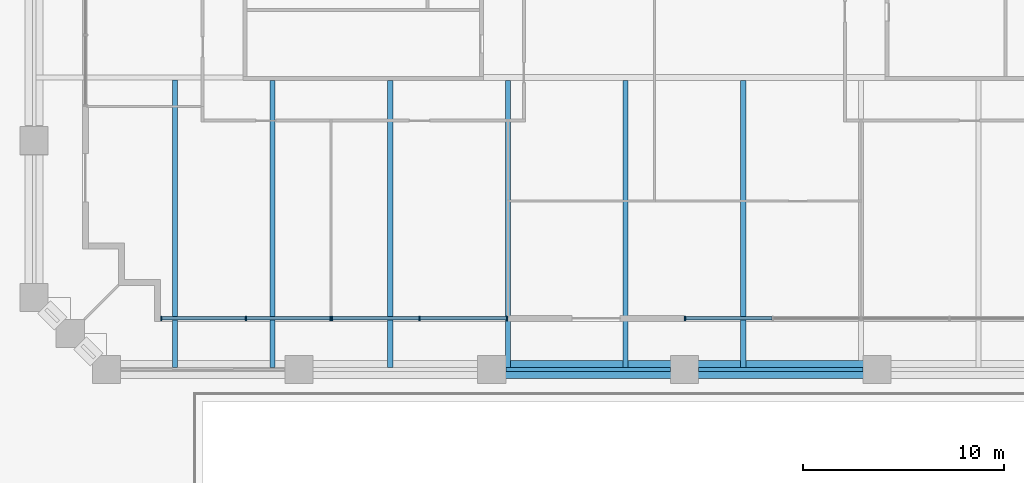
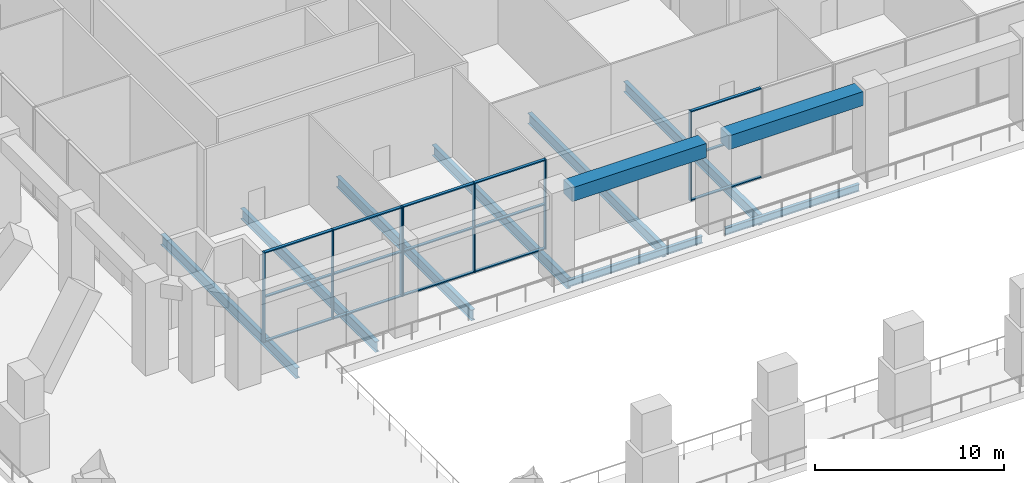
# One storey, part 2 of 20: 22 members, 10 beams, 3 elements without a shape of their own.
"""IFC4 building model written with IfcOpenShell, lengths in metres."""

from ifc_helpers import new_model, si_unit, direction, frame, origin, origin_2d, place, context, subcontext, project, spatial, rectangle, i_section, extrude, material, material_profile, profile_set, type_object, element, aggregate, save


model = new_model("IFC4")

# Units and contexts
model_context = context("Model", 3, precision=1e-05, world=origin(), true_north=direction((0.0, 1.0)))
body_context = subcontext(model_context, "Body", "Model", "MODEL_VIEW")
ifc_project = project(units=[si_unit("LENGTHUNIT", "METRE"), si_unit("AREAUNIT", "SQUARE_METRE"), si_unit("VOLUMEUNIT", "CUBIC_METRE"), si_unit("PLANEANGLEUNIT", "RADIAN"), si_unit("MASSUNIT", "GRAM", prefix="KILO")], contexts=[model_context])

# Site, building, storey
site_placement = place(None, origin())
site = spatial("IfcSite", under=ifc_project, at=site_placement, CompositionType="ELEMENT")
building_placement = place(site_placement, origin())
building = spatial("IfcBuilding", under=site, at=building_placement, Name="Ogive Exchange Tower", CompositionType="ELEMENT")
storey_placement = place(building_placement, frame((0.0, 0.0, 33.60009765625)))
storey = spatial("IfcBuildingStorey", under=building, at=storey_placement, Name="L06", CompositionType="ELEMENT", Elevation=33.60009765625)

# Beams
ifc_material_1 = material(Name="Steel ASTM A992 Gr50", Category="steel")
ifc_material_profile_1 = material_profile(ifc_material_1, i_section(OverallWidth=0.25390625, OverallDepth=0.68310546875, WebThickness=0.012451171875, FlangeThickness=0.018798828125, at=origin_2d()), Name="W690x140")
ifc_profile_set_1 = profile_set([ifc_material_profile_1], Name="Steel ASTM A992 Gr50")
beam_type_1 = type_object("IfcBeamType", Name="Floor beam W690x140", PredefinedType="JOIST", material=ifc_profile_set_1)
beam_placement = place(storey_placement, frame((-25.38232421875, -30.304443359375, -0.79150390625), z_axis=(0.0, 1.0, 0.0), x_axis=(-1.0, 0.0, 0.0)))
element("IfcBeam", 1, at=beam_placement, inside=storey, type_object=beam_type_1, Name="Floor beam", PredefinedType="JOIST", context=body_context, shape_type="SweptSolid", body=[
    extrude(i_section(OverallWidth=0.25390625, OverallDepth=0.68310546875, WebThickness=0.012451171875, FlangeThickness=0.018798828125, at=origin_2d()), origin(), (0.0, 0.0, 1.0), 14.345458984375),
])
for number, where, z_axis, x_axis, name in (
    (2, (-20.51953125, -30.304443359375, -0.79150390625), (0.0, 1.0, 0.0), (-1.0, 0.0, 0.0), "Floor beam"),
    (3, (-14.65673828125, -30.304443359375, -0.79150390625), (0.0, 1.0, 0.0), (-1.0, 0.0, 0.0), "Floor beam"),
):
    element("IfcBeam", number, at=place(storey_placement, frame(where, z_axis=z_axis, x_axis=x_axis)), inside=storey, type_object=beam_type_1, Name=name, PredefinedType="JOIST", context=body_context, shape_type="SweptSolid", body=[
        extrude(i_section(OverallWidth=0.25390625, OverallDepth=0.68310546875, WebThickness=0.012451171875, FlangeThickness=0.018798828125, at=origin_2d()), origin(), (0.0, 0.0, 1.0), 14.304443359375),
    ])
for number, where, z_axis, x_axis, name in (
    (4, (-8.794189453125, -30.304443359375, -0.79150390625), (0.0, 1.0, 0.0), (-1.0, 0.0, 0.0), "Floor beam"),
    (5, (-2.931396484375, -30.304443359375, -0.79150390625), (0.0, 1.0, 0.0), (-1.0, 0.0, 0.0), "Floor beam"),
    (6, (2.931396484375, -30.304443359375, -0.79150390625), (0.0, 1.0, 0.0), (-1.0, 0.0, 0.0), "Floor beam"),
):
    element("IfcBeam", number, at=place(storey_placement, frame(where, z_axis=z_axis, x_axis=x_axis)), inside=storey, type_object=beam_type_1, Name=name, PredefinedType="JOIST", context=body_context, shape_type="SweptSolid", body=[
        extrude(i_section(OverallWidth=0.25390625, OverallDepth=0.68310546875, WebThickness=0.012451171875, FlangeThickness=0.018798828125, at=origin_2d()), origin(), (0.0, 0.0, 1.0), 14.309326171875),
    ])
ifc_material_profile_2 = material_profile(ifc_material_1, i_section(OverallWidth=0.19091796875, OverallDepth=0.45703125, WebThickness=0.009033203125, FlangeThickness=0.014404296875, at=origin_2d()), Name="W460x74")
ifc_profile_set_2 = profile_set([ifc_material_profile_2], Name="Steel ASTM A992 Gr50")
beam_type_2 = type_object("IfcBeamType", Name="Girder W460x74", PredefinedType="BEAM", material=ifc_profile_set_2)
for number, where, z_axis, x_axis, name in (
    (7, (-8.89990234375, -30.39990234375, -0.6787109375), (1.0, 0.0, 0.0), (0.0, 1.0, 0.0), "Girder"),
    (8, (0.699951171875, -30.39990234375, -0.6787109375), (1.0, 0.0, 0.0), (0.0, 1.0, 0.0), "Girder"),
):
    element("IfcBeam", number, at=place(storey_placement, frame(where, z_axis=z_axis, x_axis=x_axis)), inside=storey, type_object=beam_type_2, Name=name, PredefinedType="BEAM", context=body_context, shape_type="SweptSolid", body=[
        extrude(i_section(OverallWidth=0.19091796875, OverallDepth=0.45703125, WebThickness=0.009033203125, FlangeThickness=0.014404296875, at=origin_2d()), origin(), (0.0, 0.0, 1.0), 8.199951171875),
    ])
ifc_material_2 = material(Name="Precast concrete C70/85 (limestone faced)", Category="masonry")
ifc_material_profile_3 = material_profile(ifc_material_2, rectangle(XDim=0.89990234375, YDim=0.89990234375, at=origin_2d()), Name="900 x 900")
ifc_profile_set_3 = profile_set([ifc_material_profile_3], Name="Precast concrete C70/85 (limestone faced)")
beam_type_3 = type_object("IfcBeamType", Name="Precast spandrel 900 x 900 C70/85", PredefinedType="SPANDREL", material=ifc_profile_set_3)
for number, where, z_axis, x_axis, name in (
    (9, (-8.919921875, -30.39990234375, 5.2998046875), (1.0, 0.0, 0.0), (0.0, 1.0, 0.0), "Spandrel 3"),
    (10, (0.679931640625, -30.39990234375, 5.2998046875), (1.0, 0.0, 0.0), (0.0, 1.0, 0.0), "Spandrel 4"),
):
    element("IfcBeam", number, at=place(storey_placement, frame(where, z_axis=z_axis, x_axis=x_axis)), inside=storey, type_object=beam_type_3, Name=name, PredefinedType="SPANDREL", context=body_context, shape_type="SweptSolid", body=[
        extrude(rectangle(XDim=0.89990234375, YDim=0.89990234375, at=origin_2d()), origin(), (0.0, 0.0, 1.0), 8.239990234375),
    ])

# Curtain wall, members
ifc_material_3 = material(Name="Anodised aluminium and clear glass", Category="aluminium")
curtain_wall_type = type_object("IfcCurtainWallType", Name="Sky lobby glazing", PredefinedType="NOTDEFINED", material=ifc_material_3)
curtain_wall_1_placement = place(storey_placement, origin())
curtain_wall_1 = element("IfcCurtainWall", 11, at=curtain_wall_1_placement, inside=storey, type_object=curtain_wall_type, Name="Sky lobby glazing run G1", PredefinedType="NOTDEFINED")
ifc_material_4 = material(Name="Anodised aluminium", Category="aluminium")
ifc_material_profile_4 = material_profile(ifc_material_4, rectangle(XDim=0.219970703125, YDim=0.070068359375, at=origin_2d()), Name="AL 70x220")
ifc_profile_set_4 = profile_set([ifc_material_profile_4], Name="Anodised aluminium")
member_type_1 = type_object("IfcMemberType", Name="Sky lobby glazing mullion 70 x 220", PredefinedType="MULLION", material=ifc_profile_set_4)
member_1_placement = place(storey_placement, frame((-26.06494140625, -27.85009765625, 0.0), z_axis=(0.0, 0.0, 1.0), x_axis=(0.0, 1.0, 0.0)))
member_1 = element("IfcMember", 12, at=member_1_placement, type_object=member_type_1, Name="G1 mullion 1", PredefinedType="MULLION", context=body_context, shape_type="SweptSolid", body=[
    extrude(rectangle(XDim=0.219970703125, YDim=0.070068359375, at=origin_2d()), origin(), (0.0, 0.0, 1.0), 5.7998046875),
])
member_2_placement = place(storey_placement, frame((-21.85009765625, -27.85009765625, 0.0), z_axis=(0.0, 0.0, 1.0), x_axis=(0.0, 1.0, 0.0)))
member_2 = element("IfcMember", 13, at=member_2_placement, type_object=member_type_1, Name="G1 mullion 2", PredefinedType="MULLION", context=body_context, shape_type="SweptSolid", body=[
    extrude(rectangle(XDim=0.219970703125, YDim=0.070068359375, at=origin_2d()), origin(), (0.0, 0.0, 1.0), 5.7998046875),
])
member_3_placement = place(storey_placement, frame((-17.635009765625, -27.85009765625, 0.0), z_axis=(0.0, 0.0, 1.0), x_axis=(0.0, 1.0, 0.0)))
member_3 = element("IfcMember", 14, at=member_3_placement, type_object=member_type_1, Name="G1 mullion 3", PredefinedType="MULLION", context=body_context, shape_type="SweptSolid", body=[
    extrude(rectangle(XDim=0.219970703125, YDim=0.070068359375, at=origin_2d()), origin(), (0.0, 0.0, 1.0), 5.7998046875),
])

curtain_wall_2_placement = place(storey_placement, origin())
curtain_wall_2 = element("IfcCurtainWall", 15, at=curtain_wall_2_placement, inside=storey, type_object=curtain_wall_type, Name="Sky lobby glazing run G2", PredefinedType="NOTDEFINED")
member_4_placement = place(storey_placement, frame((-17.56494140625, -27.85009765625, 0.0), z_axis=(0.0, 0.0, 1.0), x_axis=(0.0, 1.0, 0.0)))
member_4 = element("IfcMember", 16, at=member_4_placement, type_object=member_type_1, Name="G2 mullion 1", PredefinedType="MULLION", context=body_context, shape_type="SweptSolid", body=[
    extrude(rectangle(XDim=0.219970703125, YDim=0.070068359375, at=origin_2d()), origin(), (0.0, 0.0, 1.0), 5.7998046875),
])
member_5_placement = place(storey_placement, frame((-13.199951171875, -27.85009765625, 0.0), z_axis=(0.0, 0.0, 1.0), x_axis=(0.0, 1.0, 0.0)))
member_5 = element("IfcMember", 17, at=member_5_placement, type_object=member_type_1, Name="G2 mullion 2", PredefinedType="MULLION", context=body_context, shape_type="SweptSolid", body=[
    extrude(rectangle(XDim=0.219970703125, YDim=0.070068359375, at=origin_2d()), origin(), (0.0, 0.0, 1.0), 5.7998046875),
])
member_6_placement = place(storey_placement, frame((-8.8349609375, -27.85009765625, 0.0), z_axis=(0.0, 0.0, 1.0), x_axis=(0.0, 1.0, 0.0)))
member_6 = element("IfcMember", 18, at=member_6_placement, type_object=member_type_1, Name="G2 mullion 3", PredefinedType="MULLION", context=body_context, shape_type="SweptSolid", body=[
    extrude(rectangle(XDim=0.219970703125, YDim=0.070068359375, at=origin_2d()), origin(), (0.0, 0.0, 1.0), 5.7998046875),
])

# Curtain wall, member
curtain_wall_3_placement = place(storey_placement, origin())
curtain_wall_3 = element("IfcCurtainWall", 19, at=curtain_wall_3_placement, inside=storey, type_object=curtain_wall_type, Name="Sky lobby glazing run G4", PredefinedType="NOTDEFINED")
member_7_placement = place(storey_placement, frame((0.034912109375, -27.85009765625, 0.0), z_axis=(0.0, 0.0, 1.0), x_axis=(0.0, 1.0, 0.0)))
member_7 = element("IfcMember", 20, at=member_7_placement, type_object=member_type_1, Name="G4 mullion 1", PredefinedType="MULLION", context=body_context, shape_type="SweptSolid", body=[
    extrude(rectangle(XDim=0.219970703125, YDim=0.070068359375, at=origin_2d()), origin(), (0.0, 0.0, 1.0), 5.7998046875),
])

# Member
ifc_material_profile_5 = material_profile(ifc_material_4, rectangle(XDim=0.179931640625, YDim=0.070068359375, at=origin_2d()), Name="AL 70x180")
ifc_profile_set_5 = profile_set([ifc_material_profile_5], Name="Anodised aluminium")
member_type_2 = type_object("IfcMemberType", Name="Sky lobby glazing transom 70 x 180", PredefinedType="USERDEFINED", material=ifc_profile_set_5)
member_8_placement = place(storey_placement, frame((-26.030029296875, -27.85009765625, 0.034912109375), z_axis=(1.0, 0.0, 0.0), x_axis=(0.0, 1.0, 0.0)))
member_8 = element("IfcMember", 21, at=member_8_placement, type_object=member_type_2, Name="G1 transom 1.1", ObjectType="TRANSOM", PredefinedType="USERDEFINED", context=body_context, shape_type="SweptSolid", body=[
    extrude(rectangle(XDim=0.179931640625, YDim=0.070068359375, at=origin_2d()), origin(), (0.0, 0.0, 1.0), 4.14501953125),
])

member_9_placement = place(storey_placement, frame((-26.030029296875, -27.85009765625, 2.89990234375), z_axis=(1.0, 0.0, 0.0), x_axis=(0.0, 1.0, 0.0)))
member_9 = element("IfcMember", 22, at=member_9_placement, type_object=member_type_2, Name="G1 transom 1.2", ObjectType="TRANSOM", PredefinedType="USERDEFINED", context=body_context, shape_type="SweptSolid", body=[
    extrude(rectangle(XDim=0.179931640625, YDim=0.070068359375, at=origin_2d()), origin(), (0.0, 0.0, 1.0), 4.14501953125),
])

member_10_placement = place(storey_placement, frame((-26.030029296875, -27.85009765625, 5.764892578125), z_axis=(1.0, 0.0, 0.0), x_axis=(0.0, 1.0, 0.0)))
member_10 = element("IfcMember", 23, at=member_10_placement, type_object=member_type_2, Name="G1 transom 1.3", ObjectType="TRANSOM", PredefinedType="USERDEFINED", context=body_context, shape_type="SweptSolid", body=[
    extrude(rectangle(XDim=0.179931640625, YDim=0.070068359375, at=origin_2d()), origin(), (0.0, 0.0, 1.0), 4.14501953125),
])

member_11_placement = place(storey_placement, frame((-21.81494140625, -27.85009765625, 0.034912109375), z_axis=(1.0, 0.0, 0.0), x_axis=(0.0, 1.0, 0.0)))
member_11 = element("IfcMember", 24, at=member_11_placement, type_object=member_type_2, Name="G1 transom 2.1", ObjectType="TRANSOM", PredefinedType="USERDEFINED", context=body_context, shape_type="SweptSolid", body=[
    extrude(rectangle(XDim=0.179931640625, YDim=0.070068359375, at=origin_2d()), origin(), (0.0, 0.0, 1.0), 4.14501953125),
])

member_12_placement = place(storey_placement, frame((-21.81494140625, -27.85009765625, 2.89990234375), z_axis=(1.0, 0.0, 0.0), x_axis=(0.0, 1.0, 0.0)))
member_12 = element("IfcMember", 25, at=member_12_placement, type_object=member_type_2, Name="G1 transom 2.2", ObjectType="TRANSOM", PredefinedType="USERDEFINED", context=body_context, shape_type="SweptSolid", body=[
    extrude(rectangle(XDim=0.179931640625, YDim=0.070068359375, at=origin_2d()), origin(), (0.0, 0.0, 1.0), 4.14501953125),
])

member_13_placement = place(storey_placement, frame((-21.81494140625, -27.85009765625, 5.764892578125), z_axis=(1.0, 0.0, 0.0), x_axis=(0.0, 1.0, 0.0)))
member_13 = element("IfcMember", 26, at=member_13_placement, type_object=member_type_2, Name="G1 transom 2.3", ObjectType="TRANSOM", PredefinedType="USERDEFINED", context=body_context, shape_type="SweptSolid", body=[
    extrude(rectangle(XDim=0.179931640625, YDim=0.070068359375, at=origin_2d()), origin(), (0.0, 0.0, 1.0), 4.14501953125),
])

aggregate(curtain_wall_1, [member_1, member_2, member_3, member_8, member_9, member_10, member_11, member_12, member_13])

member_14_placement = place(storey_placement, frame((-17.530029296875, -27.85009765625, 0.034912109375), z_axis=(1.0, 0.0, 0.0), x_axis=(0.0, 1.0, 0.0)))
member_14 = element("IfcMember", 27, at=member_14_placement, type_object=member_type_2, Name="G2 transom 1.1", ObjectType="TRANSOM", PredefinedType="USERDEFINED", context=body_context, shape_type="SweptSolid", body=[
    extrude(rectangle(XDim=0.179931640625, YDim=0.070068359375, at=origin_2d()), origin(), (0.0, 0.0, 1.0), 4.294921875),
])

member_15_placement = place(storey_placement, frame((-17.530029296875, -27.85009765625, 2.89990234375), z_axis=(1.0, 0.0, 0.0), x_axis=(0.0, 1.0, 0.0)))
member_15 = element("IfcMember", 28, at=member_15_placement, type_object=member_type_2, Name="G2 transom 1.2", ObjectType="TRANSOM", PredefinedType="USERDEFINED", context=body_context, shape_type="SweptSolid", body=[
    extrude(rectangle(XDim=0.179931640625, YDim=0.070068359375, at=origin_2d()), origin(), (0.0, 0.0, 1.0), 4.294921875),
])

member_16_placement = place(storey_placement, frame((-17.530029296875, -27.85009765625, 5.764892578125), z_axis=(1.0, 0.0, 0.0), x_axis=(0.0, 1.0, 0.0)))
member_16 = element("IfcMember", 29, at=member_16_placement, type_object=member_type_2, Name="G2 transom 1.3", ObjectType="TRANSOM", PredefinedType="USERDEFINED", context=body_context, shape_type="SweptSolid", body=[
    extrude(rectangle(XDim=0.179931640625, YDim=0.070068359375, at=origin_2d()), origin(), (0.0, 0.0, 1.0), 4.294921875),
])

member_17_placement = place(storey_placement, frame((-13.1650390625, -27.85009765625, 0.034912109375), z_axis=(1.0, 0.0, 0.0), x_axis=(0.0, 1.0, 0.0)))
member_17 = element("IfcMember", 30, at=member_17_placement, type_object=member_type_2, Name="G2 transom 2.1", ObjectType="TRANSOM", PredefinedType="USERDEFINED", context=body_context, shape_type="SweptSolid", body=[
    extrude(rectangle(XDim=0.179931640625, YDim=0.070068359375, at=origin_2d()), origin(), (0.0, 0.0, 1.0), 4.294921875),
])

member_18_placement = place(storey_placement, frame((-13.1650390625, -27.85009765625, 2.89990234375), z_axis=(1.0, 0.0, 0.0), x_axis=(0.0, 1.0, 0.0)))
member_18 = element("IfcMember", 31, at=member_18_placement, type_object=member_type_2, Name="G2 transom 2.2", ObjectType="TRANSOM", PredefinedType="USERDEFINED", context=body_context, shape_type="SweptSolid", body=[
    extrude(rectangle(XDim=0.179931640625, YDim=0.070068359375, at=origin_2d()), origin(), (0.0, 0.0, 1.0), 4.294921875),
])

member_19_placement = place(storey_placement, frame((-13.1650390625, -27.85009765625, 5.764892578125), z_axis=(1.0, 0.0, 0.0), x_axis=(0.0, 1.0, 0.0)))
member_19 = element("IfcMember", 32, at=member_19_placement, type_object=member_type_2, Name="G2 transom 2.3", ObjectType="TRANSOM", PredefinedType="USERDEFINED", context=body_context, shape_type="SweptSolid", body=[
    extrude(rectangle(XDim=0.179931640625, YDim=0.070068359375, at=origin_2d()), origin(), (0.0, 0.0, 1.0), 4.294921875),
])

aggregate(curtain_wall_2, [member_4, member_5, member_6, member_14, member_15, member_16, member_17, member_18, member_19])

member_20_placement = place(storey_placement, frame((0.070068359375, -27.85009765625, 0.034912109375), z_axis=(1.0, 0.0, 0.0), x_axis=(0.0, 1.0, 0.0)))
member_20 = element("IfcMember", 33, at=member_20_placement, type_object=member_type_2, Name="G4 transom 1.1", ObjectType="TRANSOM", PredefinedType="USERDEFINED", context=body_context, shape_type="SweptSolid", body=[
    extrude(rectangle(XDim=0.179931640625, YDim=0.070068359375, at=origin_2d()), origin(), (0.0, 0.0, 1.0), 4.294921875),
])

member_21_placement = place(storey_placement, frame((0.070068359375, -27.85009765625, 2.89990234375), z_axis=(1.0, 0.0, 0.0), x_axis=(0.0, 1.0, 0.0)))
member_21 = element("IfcMember", 34, at=member_21_placement, type_object=member_type_2, Name="G4 transom 1.2", ObjectType="TRANSOM", PredefinedType="USERDEFINED", context=body_context, shape_type="SweptSolid", body=[
    extrude(rectangle(XDim=0.179931640625, YDim=0.070068359375, at=origin_2d()), origin(), (0.0, 0.0, 1.0), 4.294921875),
])

member_22_placement = place(storey_placement, frame((0.070068359375, -27.85009765625, 5.764892578125), z_axis=(1.0, 0.0, 0.0), x_axis=(0.0, 1.0, 0.0)))
member_22 = element("IfcMember", 35, at=member_22_placement, type_object=member_type_2, Name="G4 transom 1.3", ObjectType="TRANSOM", PredefinedType="USERDEFINED", context=body_context, shape_type="SweptSolid", body=[
    extrude(rectangle(XDim=0.179931640625, YDim=0.070068359375, at=origin_2d()), origin(), (0.0, 0.0, 1.0), 4.294921875),
])

aggregate(curtain_wall_3, [member_7, member_20, member_21, member_22])

save(model, "model.ifc")
